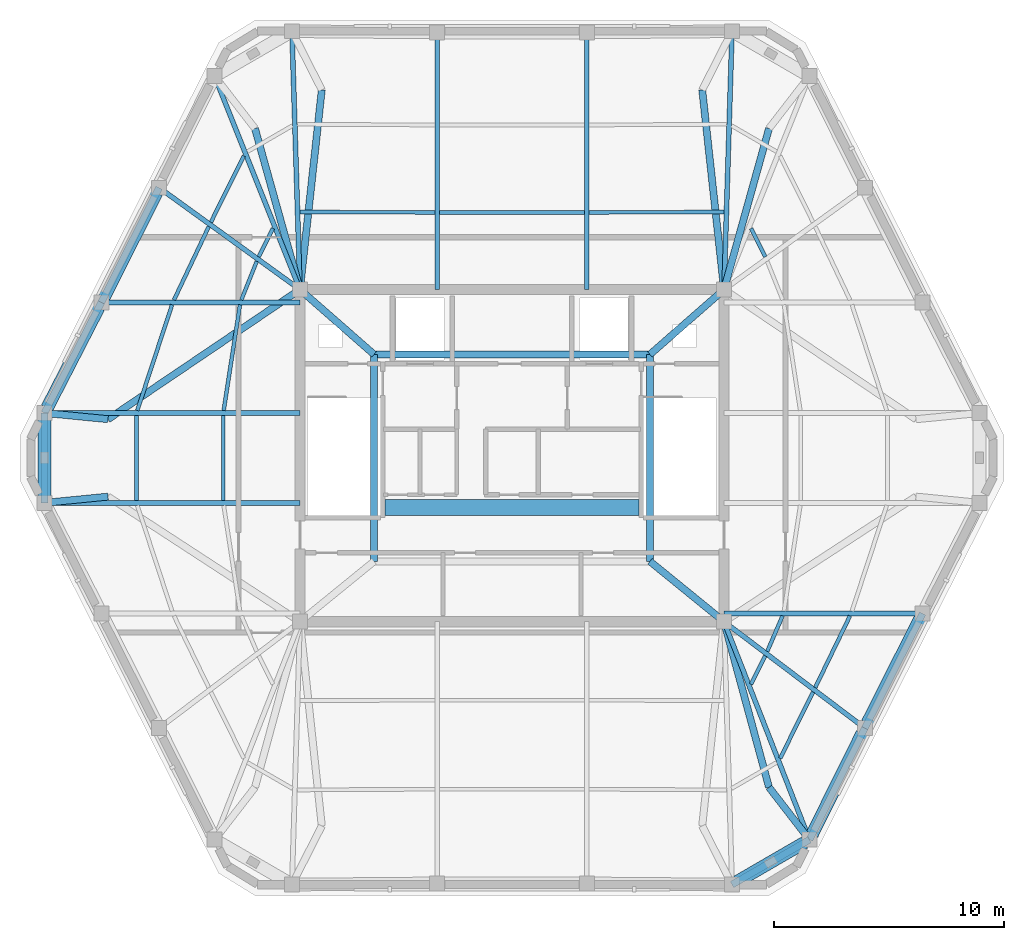
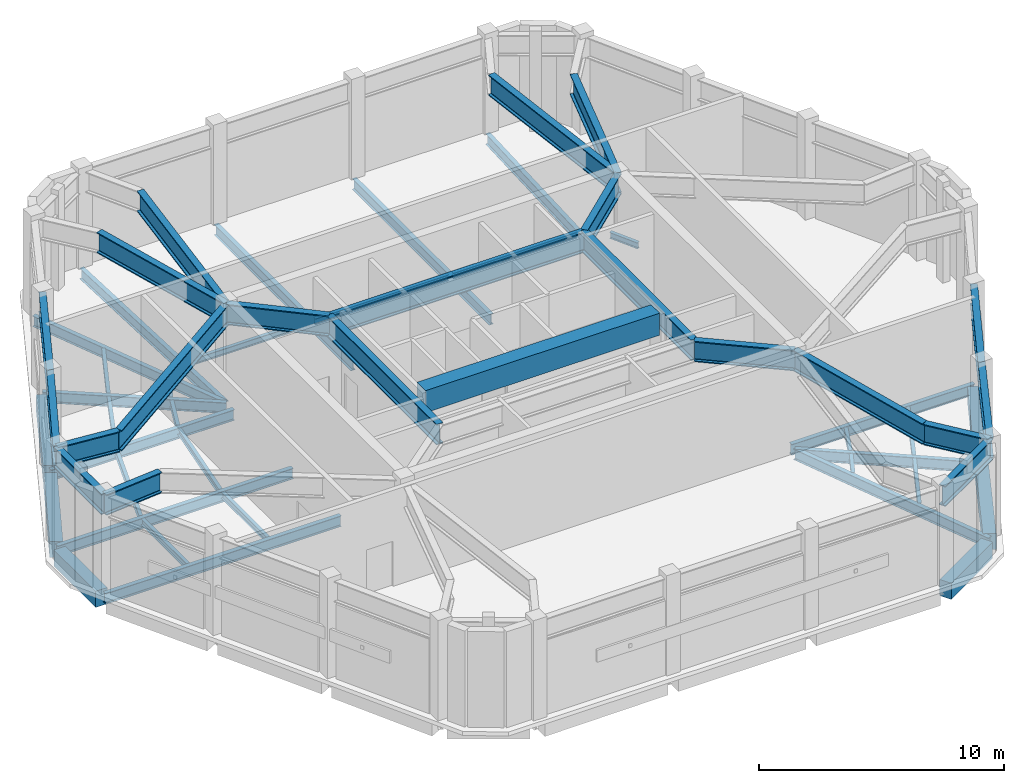
# One storey, part 2 of 6: 56 beams.
"""IFC4 building model written with IfcOpenShell, lengths in metres."""

from ifc_helpers import new_model, si_unit, direction, frame, origin, origin_2d, place, context, subcontext, project, spatial, rectangle, i_section, extrude, material, material_profile, profile_set, type_object, element, save


model = new_model("IFC4")

# Units and contexts
model_context = context("Model", 3, precision=1e-05, world=origin(), true_north=direction((0.0, 1.0)))
body_context = subcontext(model_context, "Body", "Model", "MODEL_VIEW")
ifc_project = project(units=[si_unit("LENGTHUNIT", "METRE"), si_unit("AREAUNIT", "SQUARE_METRE"), si_unit("VOLUMEUNIT", "CUBIC_METRE"), si_unit("PLANEANGLEUNIT", "RADIAN"), si_unit("MASSUNIT", "GRAM", prefix="KILO")], contexts=[model_context])

# Site, building, storey
site_placement = place(None, origin())
site = spatial("IfcSite", under=ifc_project, at=site_placement, CompositionType="ELEMENT")
building_placement = place(site_placement, origin())
building = spatial("IfcBuilding", under=site, at=building_placement, Name="Cinnabar Lancet Tower", CompositionType="ELEMENT")
storey_placement = place(building_placement, frame((0.0, 0.0, 300.5)))
storey = spatial("IfcBuildingStorey", under=building, at=storey_placement, Name="L79", CompositionType="ELEMENT", Elevation=300.5)

# Beams
ifc_material_1 = material(Name="Concrete C70/85", Category="concrete")
ifc_material_profile_1 = material_profile(ifc_material_1, rectangle(XDim=0.699951171875, YDim=1.10009765625, at=origin_2d()), Name="RC-CB 700x1100")
ifc_profile_set_1 = profile_set([ifc_material_profile_1], Name="Concrete C70/85")
beam_type_1 = type_object("IfcBeamType", Name="STR-BM-CB-1100", PredefinedType="BEAM", material=ifc_profile_set_1)
beam_1_placement = place(storey_placement, frame((26.8798828125, 23.64990234375, 4.449951171875), z_axis=(1.0, 0.0, 0.0), x_axis=(0.0, 1.0, 0.0)))
element("IfcBeam", 1, at=beam_1_placement, inside=storey, type_object=beam_type_1, Name="L79 Core Coupling Beam", PredefinedType="BEAM", context=body_context, shape_type="SweptSolid", body=[
    extrude(rectangle(XDim=0.699951171875, YDim=1.10009765625, at=origin_2d()), origin(), (0.0, 0.0, 1.0), 11.0400390625),
])
ifc_material_2 = material(Name="Structural steel S355", Category="steel")
ifc_material_profile_2 = material_profile(ifc_material_2, i_section(OverallWidth=0.1650390625, OverallDepth=0.303466796875, WebThickness=0.006103515625, FlangeThickness=0.01025390625, FilletRadius=0.0087890625, at=origin_2d()), Name="UKB 305x165x40")
ifc_profile_set_2 = profile_set([ifc_material_profile_2], Name="Structural steel S355")
beam_type_2 = type_object("IfcBeamType", Name="STR-BM-JST-305", PredefinedType="JOIST", material=ifc_profile_set_2)
beam_2_placement = place(storey_placement, frame((44.06591796875, 12.73193359375, -0.35205078125), z_axis=(0.444391284604, 0.895832789179, 0.0), x_axis=(-0.895832789179, 0.444391284604, 0.0)))
element("IfcBeam", 2, at=beam_2_placement, inside=storey, type_object=beam_type_2, Name="L79 Secondary Floor Joist 15", PredefinedType="JOIST", context=body_context, shape_type="SweptSolid", body=[
    extrude(i_section(OverallWidth=0.1650390625, OverallDepth=0.303466796875, WebThickness=0.006103515625, FlangeThickness=0.01025390625, FilletRadius=0.0087890625, at=origin_2d()), origin(), (0.0, 0.0, 1.0), 3.220458984375),
])
beam_3_placement = place(storey_placement, frame((42.802978515625, 15.9560546875, -0.35205078125), z_axis=(0.444093192127, 0.89598060063, 0.0), x_axis=(-0.89598060063, 0.444093192127, 0.0)))
element("IfcBeam", 3, at=beam_3_placement, inside=storey, type_object=beam_type_2, Name="L79 Secondary Floor Joist 16", PredefinedType="JOIST", context=body_context, shape_type="SweptSolid", body=[
    extrude(i_section(OverallWidth=0.1650390625, OverallDepth=0.303466796875, WebThickness=0.006103515625, FlangeThickness=0.01025390625, FilletRadius=0.0087890625, at=origin_2d()), origin(), (0.0, 0.0, 1.0), 1.378173828125),
])
beam_4_placement = place(storey_placement, frame((45.591064453125, 15.80810546875, -0.35205078125), z_axis=(0.43610936109, 0.899893674369, 0.0), x_axis=(-0.899893674369, 0.43610936109, 0.0)))
element("IfcBeam", 4, at=beam_4_placement, inside=storey, type_object=beam_type_2, Name="L79 Secondary Floor Joist 17", PredefinedType="JOIST", context=body_context, shape_type="SweptSolid", body=[
    extrude(i_section(OverallWidth=0.1650390625, OverallDepth=0.303466796875, WebThickness=0.006103515625, FlangeThickness=0.01025390625, FilletRadius=0.0087890625, at=origin_2d()), origin(), (0.0, 0.0, 1.0), 3.467041015625),
])
beam_5_placement = place(storey_placement, frame((43.5048828125, 17.385009765625, -0.35205078125), z_axis=(0.396302440144, 0.91812002262, 0.0), x_axis=(-0.91812002262, 0.396302440144, 0.0)))
element("IfcBeam", 5, at=beam_5_placement, inside=storey, type_object=beam_type_2, Name="L79 Secondary Floor Joist 18", PredefinedType="JOIST", context=body_context, shape_type="SweptSolid", body=[
    extrude(i_section(OverallWidth=0.1650390625, OverallDepth=0.303466796875, WebThickness=0.006103515625, FlangeThickness=0.01025390625, FilletRadius=0.0087890625, at=origin_2d()), origin(), (0.0, 0.0, 1.0), 1.6806640625),
])
beam_6_placement = place(storey_placement, frame((43.4150390625, 34.549072265625, -0.35205078125), z_axis=(-0.444661746427, 0.895698571655, 0.0), x_axis=(-0.895698571655, -0.444661746427, 0.0)))
element("IfcBeam", 6, at=beam_6_placement, inside=storey, type_object=beam_type_2, Name="L79 Secondary Floor Joist 28", PredefinedType="JOIST", context=body_context, shape_type="SweptSolid", body=[
    extrude(i_section(OverallWidth=0.1650390625, OverallDepth=0.303466796875, WebThickness=0.006103515625, FlangeThickness=0.01025390625, FilletRadius=0.0087890625, at=origin_2d()), origin(), (0.0, 0.0, 1.0), 1.378662109375),
])
beam_7_placement = place(storey_placement, frame((41.6240234375, 36.49609375, -0.35205078125), z_axis=(-0.999996226008, -0.002747356738, 0.0), x_axis=(0.002747356738, -0.999996226008, 0.0)))
element("IfcBeam", 7, at=beam_7_placement, inside=storey, type_object=beam_type_2, Name="L79 Secondary Floor Joist 31", PredefinedType="JOIST", context=body_context, shape_type="SweptSolid", body=[
    extrude(i_section(OverallWidth=0.1650390625, OverallDepth=0.303466796875, WebThickness=0.006103515625, FlangeThickness=0.01025390625, FilletRadius=0.0087890625, at=origin_2d()), origin(), (0.0, 0.0, 1.0), 5.864990234375),
])
beam_8_placement = place(storey_placement, frame((35.549072265625, 36.47998046875, -0.35205078125), z_axis=(-1.0, 0.0, 0.0), x_axis=(0.0, -1.0, 0.0)))
element("IfcBeam", 8, at=beam_8_placement, inside=storey, type_object=beam_type_2, Name="L79 Secondary Floor Joist 33", PredefinedType="JOIST", context=body_context, shape_type="SweptSolid", body=[
    extrude(i_section(OverallWidth=0.1650390625, OverallDepth=0.303466796875, WebThickness=0.006103515625, FlangeThickness=0.01025390625, FilletRadius=0.0087890625, at=origin_2d()), origin(), (0.0, 0.0, 1.0), 6.298095703125),
])
beam_9_placement = place(storey_placement, frame((29.041015625, 36.47998046875, -0.35205078125), z_axis=(-0.999996226008, 0.002747356738, 0.0), x_axis=(-0.002747356738, -0.999996226008, 0.0)))
element("IfcBeam", 9, at=beam_9_placement, inside=storey, type_object=beam_type_2, Name="L79 Secondary Floor Joist 35", PredefinedType="JOIST", context=body_context, shape_type="SweptSolid", body=[
    extrude(i_section(OverallWidth=0.1650390625, OverallDepth=0.303466796875, WebThickness=0.006103515625, FlangeThickness=0.01025390625, FilletRadius=0.0087890625, at=origin_2d()), origin(), (0.0, 0.0, 1.0), 5.864990234375),
])
beam_10_placement = place(storey_placement, frame((20.73388671875, 38.94091796875, -0.35205078125), z_axis=(-0.444209762814, -0.89592281287, 0.0), x_axis=(0.89592281287, -0.444209762814, 0.0)))
element("IfcBeam", 10, at=beam_10_placement, inside=storey, type_object=beam_type_2, Name="L79 Secondary Floor Joist 37", PredefinedType="JOIST", context=body_context, shape_type="SweptSolid", body=[
    extrude(i_section(OverallWidth=0.1650390625, OverallDepth=0.303466796875, WebThickness=0.006103515625, FlangeThickness=0.01025390625, FilletRadius=0.0087890625, at=origin_2d()), origin(), (0.0, 0.0, 1.0), 3.22119140625),
])
beam_11_placement = place(storey_placement, frame((21.998046875, 35.783935546875, -0.35205078125), z_axis=(-0.444661746427, -0.895698571655, 0.0), x_axis=(0.895698571655, -0.444661746427, 0.0)))
element("IfcBeam", 11, at=beam_11_placement, inside=storey, type_object=beam_type_2, Name="L79 Secondary Floor Joist 38", PredefinedType="JOIST", context=body_context, shape_type="SweptSolid", body=[
    extrude(i_section(OverallWidth=0.1650390625, OverallDepth=0.303466796875, WebThickness=0.006103515625, FlangeThickness=0.01025390625, FilletRadius=0.0087890625, at=origin_2d()), origin(), (0.0, 0.0, 1.0), 1.378662109375),
])
beam_12_placement = place(storey_placement, frame((19.2099609375, 35.863037109375, -0.35205078125), z_axis=(-0.428647868514, -0.903471640296, 0.0), x_axis=(0.903471640296, -0.428647868514, 0.0)))
element("IfcBeam", 12, at=beam_12_placement, inside=storey, type_object=beam_type_2, Name="L79 Secondary Floor Joist 39", PredefinedType="JOIST", context=body_context, shape_type="SweptSolid", body=[
    extrude(i_section(OverallWidth=0.1650390625, OverallDepth=0.303466796875, WebThickness=0.006103515625, FlangeThickness=0.01025390625, FilletRadius=0.0087890625, at=origin_2d()), origin(), (0.0, 0.0, 1.0), 3.53173828125),
])
beam_13_placement = place(storey_placement, frame((21.298095703125, 34.35400390625, -0.35205078125), z_axis=(-0.37155332079, -0.928411616585, 0.0), x_axis=(0.928411616585, -0.37155332079, 0.0)))
element("IfcBeam", 13, at=beam_13_placement, inside=storey, type_object=beam_type_2, Name="L79 Secondary Floor Joist 40", PredefinedType="JOIST", context=body_context, shape_type="SweptSolid", body=[
    extrude(i_section(OverallWidth=0.1650390625, OverallDepth=0.303466796875, WebThickness=0.006103515625, FlangeThickness=0.01025390625, FilletRadius=0.0087890625, at=origin_2d()), origin(), (0.0, 0.0, 1.0), 1.8115234375),
])
beam_14_placement = place(storey_placement, frame((17.612060546875, 32.4619140625, -0.35205078125), z_axis=(-0.312551578319, -0.949900790025, 0.0), x_axis=(0.949900790025, -0.312551578319, 0.0)))
element("IfcBeam", 14, at=beam_14_placement, inside=storey, type_object=beam_type_2, Name="L79 Secondary Floor Joist 41", PredefinedType="JOIST", context=body_context, shape_type="SweptSolid", body=[
    extrude(i_section(OverallWidth=0.1650390625, OverallDepth=0.303466796875, WebThickness=0.006103515625, FlangeThickness=0.01025390625, FilletRadius=0.0087890625, at=origin_2d()), origin(), (0.0, 0.0, 1.0), 4.844482421875),
])
beam_15_placement = place(storey_placement, frame((20.56689453125, 32.4619140625, -0.35205078125), z_axis=(-0.152269949853, -0.988338941038, 0.0), x_axis=(0.988338941038, -0.152269949853, 0.0)))
element("IfcBeam", 15, at=beam_15_placement, inside=storey, type_object=beam_type_2, Name="L79 Secondary Floor Joist 42", PredefinedType="JOIST", context=body_context, shape_type="SweptSolid", body=[
    extrude(i_section(OverallWidth=0.1650390625, OverallDepth=0.303466796875, WebThickness=0.006103515625, FlangeThickness=0.01025390625, FilletRadius=0.0087890625, at=origin_2d()), origin(), (0.0, 0.0, 1.0), 4.656005859375),
])
for number, where, z_axis, x_axis, name in (
    (16, (16.06298828125, 27.64990234375, -0.35205078125), (0.0, -1.0, 0.0), (1.0, 0.0, 0.0), "L79 Secondary Floor Joist 43"),
    (17, (19.841064453125, 27.64990234375, -0.35205078125), (0.0, -1.0, 0.0), (1.0, 0.0, 0.0), "L79 Secondary Floor Joist 44"),
):
    element("IfcBeam", number, at=place(storey_placement, frame(where, z_axis=z_axis, x_axis=x_axis)), inside=storey, type_object=beam_type_2, Name=name, PredefinedType="JOIST", context=body_context, shape_type="SweptSolid", body=[
        extrude(i_section(OverallWidth=0.1650390625, OverallDepth=0.303466796875, WebThickness=0.006103515625, FlangeThickness=0.01025390625, FilletRadius=0.0087890625, at=origin_2d()), origin(), (0.0, 0.0, 1.0), 3.699951171875),
    ])
ifc_material_3 = material(Name="Concrete C50/60", Category="concrete")
ifc_material_profile_3 = material_profile(ifc_material_3, rectangle(XDim=0.550048828125, YDim=0.800048828125, at=origin_2d()), Name="RC-SB 550x800")
ifc_profile_set_3 = profile_set([ifc_material_profile_3], Name="Concrete C50/60")
beam_type_3 = type_object("IfcBeamType", Name="STR-BM-RCSB-800", PredefinedType="SPANDREL", material=ifc_profile_set_3)
beam_16_placement = place(storey_placement, frame((42.18798828125, 7.364013671875, -0.60009765625), z_axis=(0.865230894194, 0.50137361292, 0.0), x_axis=(-0.50137361292, 0.865230894194, 0.0)))
element("IfcBeam", 18, at=beam_16_placement, inside=storey, type_object=beam_type_3, Name="L79 Perimeter Spandrel 4", PredefinedType="SPANDREL", context=body_context, shape_type="SweptSolid", body=[
    extrude(rectangle(XDim=0.550048828125, YDim=0.800048828125, at=origin_2d()), origin(), (0.0, 0.0, 1.0), 3.39453125),
])
beam_17_placement = place(storey_placement, frame((45.451904296875, 9.4150390625, -0.60009765625), z_axis=(0.444372599207, 0.895842058107, 0.0), x_axis=(-0.895842058107, 0.444372599207, 0.0)))
element("IfcBeam", 19, at=beam_17_placement, inside=storey, type_object=beam_type_3, Name="L79 Perimeter Spandrel 5", PredefinedType="SPANDREL", context=body_context, shape_type="SweptSolid", body=[
    extrude(rectangle(XDim=0.550048828125, YDim=0.800048828125, at=origin_2d()), origin(), (0.0, 0.0, 1.0), 4.91943359375),
])
beam_18_placement = place(storey_placement, frame((47.862060546875, 14.26904296875, -0.60009765625), z_axis=(0.450091864122, 0.892982258419, 0.0), x_axis=(-0.892982258419, 0.450091864122, 0.0)))
element("IfcBeam", 20, at=beam_18_placement, inside=storey, type_object=beam_type_3, Name="L79 Perimeter Spandrel 6", PredefinedType="SPANDREL", context=body_context, shape_type="SweptSolid", body=[
    extrude(rectangle(XDim=0.550048828125, YDim=0.800048828125, at=origin_2d()), origin(), (0.0, 0.0, 1.0), 5.085205078125),
])
beam_19_placement = place(storey_placement, frame((16.93798828125, 37.3310546875, -0.60009765625), z_axis=(-0.450130146726, -0.892962961722, 0.0), x_axis=(0.892962961722, -0.450130146726, 0.0)))
element("IfcBeam", 21, at=beam_19_placement, inside=storey, type_object=beam_type_3, Name="L79 Perimeter Spandrel 18", PredefinedType="SPANDREL", context=body_context, shape_type="SweptSolid", body=[
    extrude(rectangle(XDim=0.550048828125, YDim=0.800048828125, at=origin_2d()), origin(), (0.0, 0.0, 1.0), 5.08544921875),
])
beam_20_placement = place(storey_placement, frame((14.422119140625, 32.344970703125, -0.60009765625), z_axis=(-0.457148063427, -0.889390604912, 0.0), x_axis=(0.889390604912, -0.457148063427, 0.0)))
element("IfcBeam", 22, at=beam_20_placement, inside=storey, type_object=beam_type_3, Name="L79 Perimeter Spandrel 19", PredefinedType="SPANDREL", context=body_context, shape_type="SweptSolid", body=[
    extrude(rectangle(XDim=0.550048828125, YDim=0.800048828125, at=origin_2d()), origin(), (0.0, 0.0, 1.0), 4.9111328125),
])
beam_21_placement = place(storey_placement, frame((12.06298828125, 27.5048828125, -0.60009765625), z_axis=(0.0, -1.0, 0.0), x_axis=(1.0, 0.0, 0.0)))
element("IfcBeam", 23, at=beam_21_placement, inside=storey, type_object=beam_type_3, Name="L79 Perimeter Spandrel 20", PredefinedType="SPANDREL", context=body_context, shape_type="SweptSolid", body=[
    extrude(rectangle(XDim=0.550048828125, YDim=0.800048828125, at=origin_2d()), origin(), (0.0, 0.0, 1.0), 3.409912109375),
])
ifc_material_4 = material(Name="Structural steel S460", Category="steel")
ifc_material_profile_4 = material_profile(ifc_material_4, i_section(OverallWidth=0.305419921875, OverallDepth=1.02587890625, WebThickness=0.02685546875, FlangeThickness=0.049072265625, FilletRadius=0.030029296875, at=origin_2d()), Name="UKB 1016x305x437")
ifc_profile_set_4 = profile_set([ifc_material_profile_4], Name="Structural steel S460")
beam_type_4 = type_object("IfcBeamType", Name="STR-BM-UKB1016-437", PredefinedType="BEAM", material=ifc_profile_set_4)
beam_22_placement = place(storey_placement, frame((41.971923828125, 7.239013671875, 4.237060546875), z_axis=(0.865275997941, 0.501295768372, 0.0), x_axis=(-0.501295768372, 0.865275997941, 0.0)))
element("IfcBeam", 24, at=beam_22_placement, inside=storey, type_object=beam_type_4, Name="L80 Setback Outer Ring Girder 4", PredefinedType="BEAM", context=body_context, shape_type="SweptSolid", body=[
    extrude(i_section(OverallWidth=0.305419921875, OverallDepth=1.02587890625, WebThickness=0.02685546875, FlangeThickness=0.049072265625, FilletRadius=0.030029296875, at=origin_2d()), origin(), (0.0, 0.0, 1.0), 3.893798828125),
])
beam_23_placement = place(storey_placement, frame((45.341064453125, 9.19091796875, 4.237060546875), z_axis=(0.444328072488, 0.895864143718, 0.0), x_axis=(-0.895864143718, 0.444328072488, 0.0)))
element("IfcBeam", 25, at=beam_23_placement, inside=storey, type_object=beam_type_4, Name="L80 Setback Outer Ring Girder 5", PredefinedType="BEAM", context=body_context, shape_type="SweptSolid", body=[
    extrude(i_section(OverallWidth=0.305419921875, OverallDepth=1.02587890625, WebThickness=0.02685546875, FlangeThickness=0.049072265625, FilletRadius=0.030029296875, at=origin_2d()), origin(), (0.0, 0.0, 1.0), 5.41943359375),
])
beam_24_placement = place(storey_placement, frame((47.7490234375, 14.0458984375, 4.237060546875), z_axis=(0.450270774209, 0.892892059486, 0.0), x_axis=(-0.892892059486, 0.450270774209, 0.0)))
element("IfcBeam", 26, at=beam_24_placement, inside=storey, type_object=beam_type_4, Name="L80 Setback Outer Ring Girder 6", PredefinedType="BEAM", context=body_context, shape_type="SweptSolid", body=[
    extrude(i_section(OverallWidth=0.305419921875, OverallDepth=1.02587890625, WebThickness=0.02685546875, FlangeThickness=0.049072265625, FilletRadius=0.030029296875, at=origin_2d()), origin(), (0.0, 0.0, 1.0), 5.585205078125),
])
beam_25_placement = place(storey_placement, frame((17.051025390625, 37.553955078125, 4.237060546875), z_axis=(-0.450305622338, -0.892874485295, 0.0), x_axis=(0.892874485295, -0.450305622338, 0.0)))
element("IfcBeam", 27, at=beam_25_placement, inside=storey, type_object=beam_type_4, Name="L80 Setback Outer Ring Girder 18", PredefinedType="BEAM", context=body_context, shape_type="SweptSolid", body=[
    extrude(i_section(OverallWidth=0.305419921875, OverallDepth=1.02587890625, WebThickness=0.02685546875, FlangeThickness=0.049072265625, FilletRadius=0.030029296875, at=origin_2d()), origin(), (0.0, 0.0, 1.0), 5.58544921875),
])
beam_26_placement = place(storey_placement, frame((14.535888671875, 32.56689453125, 4.237060546875), z_axis=(-0.457077791072, -0.889426721495, 0.0), x_axis=(0.889426721495, -0.457077791072, 0.0)))
element("IfcBeam", 28, at=beam_26_placement, inside=storey, type_object=beam_type_4, Name="L80 Setback Outer Ring Girder 19", PredefinedType="BEAM", context=body_context, shape_type="SweptSolid", body=[
    extrude(i_section(OverallWidth=0.305419921875, OverallDepth=1.02587890625, WebThickness=0.02685546875, FlangeThickness=0.049072265625, FilletRadius=0.030029296875, at=origin_2d()), origin(), (0.0, 0.0, 1.0), 5.41015625),
])
beam_27_placement = place(storey_placement, frame((12.06298828125, 27.7548828125, 4.237060546875), z_axis=(0.0, -1.0, 0.0), x_axis=(1.0, 0.0, 0.0)))
element("IfcBeam", 29, at=beam_27_placement, inside=storey, type_object=beam_type_4, Name="L80 Setback Outer Ring Girder 20", PredefinedType="BEAM", context=body_context, shape_type="SweptSolid", body=[
    extrude(i_section(OverallWidth=0.305419921875, OverallDepth=1.02587890625, WebThickness=0.02685546875, FlangeThickness=0.049072265625, FilletRadius=0.030029296875, at=origin_2d()), origin(), (0.0, 0.0, 1.0), 3.909912109375),
])
beam_28_placement = place(storey_placement, frame((45.341064453125, 9.19091796875, 4.237060546875), z_axis=(-0.611377502298, 0.791339086412, 0.0), x_axis=(-0.791339086412, -0.611377502298, 0.0)))
element("IfcBeam", 30, at=beam_28_placement, inside=storey, type_object=beam_type_4, Name="L80 Crown Setback Strut Girder 3", PredefinedType="BEAM", context=body_context, shape_type="SweptSolid", body=[
    extrude(i_section(OverallWidth=0.305419921875, OverallDepth=1.02587890625, WebThickness=0.02685546875, FlangeThickness=0.049072265625, FilletRadius=0.030029296875, at=origin_2d()), origin(), (0.0, 0.0, 1.0), 2.878662109375),
])
beam_29_placement = place(storey_placement, frame((43.5810546875, 11.468994140625, 4.237060546875), z_axis=(-0.261966293261, 0.965077023452, 0.0), x_axis=(-0.965077023452, -0.261966293261, 0.0)))
element("IfcBeam", 31, at=beam_29_placement, inside=storey, type_object=beam_type_4, Name="L80 Crown Setback Radial Girder 3", PredefinedType="BEAM", context=body_context, shape_type="SweptSolid", body=[
    extrude(i_section(OverallWidth=0.305419921875, OverallDepth=1.02587890625, WebThickness=0.02685546875, FlangeThickness=0.049072265625, FilletRadius=0.030029296875, at=origin_2d()), origin(), (0.0, 0.0, 1.0), 7.466796875),
])
beam_30_placement = place(storey_placement, frame((43.5810546875, 40.131103515625, 4.237060546875), z_axis=(-0.268909036118, -0.963165577818, 0.0), x_axis=(0.963165577818, -0.268909036118, 0.0)))
element("IfcBeam", 32, at=beam_30_placement, inside=storey, type_object=beam_type_4, Name="L80 Crown Setback Radial Girder 6", PredefinedType="BEAM", context=body_context, shape_type="SweptSolid", body=[
    extrude(i_section(OverallWidth=0.305419921875, OverallDepth=1.02587890625, WebThickness=0.02685546875, FlangeThickness=0.049072265625, FilletRadius=0.030029296875, at=origin_2d()), origin(), (0.0, 0.0, 1.0), 7.27392578125),
])
for number, where, z_axis, x_axis, name in (
    (33, (40.675048828125, 41.81103515625, 4.237060546875), (0.10871710022, -0.994072729794, 0.0), (0.994072729794, 0.10871710022, 0.0), "L80 Crown Setback Radial Girder 7"),
    (34, (24.125, 41.81103515625, 4.237060546875), (-0.10871710022, -0.994072729794, 0.0), (0.994072729794, -0.10871710022, 0.0), "L80 Crown Setback Radial Girder 8"),
):
    element("IfcBeam", number, at=place(storey_placement, frame(where, z_axis=z_axis, x_axis=x_axis)), inside=storey, type_object=beam_type_4, Name=name, PredefinedType="BEAM", context=body_context, shape_type="SweptSolid", body=[
        extrude(i_section(OverallWidth=0.305419921875, OverallDepth=1.02587890625, WebThickness=0.02685546875, FlangeThickness=0.049072265625, FilletRadius=0.030029296875, at=origin_2d()), origin(), (0.0, 0.0, 1.0), 8.73779296875),
    ])
beam_31_placement = place(storey_placement, frame((21.218994140625, 40.131103515625, 4.237060546875), z_axis=(0.268909036118, -0.963165577818, 0.0), x_axis=(0.963165577818, 0.268909036118, 0.0)))
element("IfcBeam", 35, at=beam_31_placement, inside=storey, type_object=beam_type_4, Name="L80 Crown Setback Radial Girder 9", PredefinedType="BEAM", context=body_context, shape_type="SweptSolid", body=[
    extrude(i_section(OverallWidth=0.305419921875, OverallDepth=1.02587890625, WebThickness=0.02685546875, FlangeThickness=0.049072265625, FilletRadius=0.030029296875, at=origin_2d()), origin(), (0.0, 0.0, 1.0), 7.27392578125),
])
beam_32_placement = place(storey_placement, frame((12.06298828125, 27.7548828125, 4.237060546875), z_axis=(0.995193479183, -0.097928233885, 0.0), x_axis=(0.097928233885, 0.995193479183, 0.0)))
element("IfcBeam", 36, at=beam_32_placement, inside=storey, type_object=beam_type_4, Name="L80 Crown Setback Strut Girder 10", PredefinedType="BEAM", context=body_context, shape_type="SweptSolid", body=[
    extrude(i_section(OverallWidth=0.305419921875, OverallDepth=1.02587890625, WebThickness=0.02685546875, FlangeThickness=0.049072265625, FilletRadius=0.030029296875, at=origin_2d()), origin(), (0.0, 0.0, 1.0), 2.77734375),
])
beam_33_placement = place(storey_placement, frame((14.826904296875, 27.48291015625, 4.237060546875), z_axis=(0.828522129667, 0.559956320308, 0.0), x_axis=(-0.559956320308, 0.828522129667, 0.0)))
element("IfcBeam", 37, at=beam_33_placement, inside=storey, type_object=beam_type_4, Name="L80 Crown Setback Radial Girder 10", PredefinedType="BEAM", context=body_context, shape_type="SweptSolid", body=[
    extrude(i_section(OverallWidth=0.305419921875, OverallDepth=1.02587890625, WebThickness=0.02685546875, FlangeThickness=0.049072265625, FilletRadius=0.030029296875, at=origin_2d()), origin(), (0.0, 0.0, 1.0), 10.075927734375),
])
beam_34_placement = place(storey_placement, frame((12.06298828125, 23.844970703125, 4.237060546875), z_axis=(0.995193479183, 0.097928233885, 0.0), x_axis=(-0.097928233885, 0.995193479183, 0.0)))
element("IfcBeam", 38, at=beam_34_placement, inside=storey, type_object=beam_type_4, Name="L80 Crown Setback Strut Girder 11", PredefinedType="BEAM", context=body_context, shape_type="SweptSolid", body=[
    extrude(i_section(OverallWidth=0.305419921875, OverallDepth=1.02587890625, WebThickness=0.02685546875, FlangeThickness=0.049072265625, FilletRadius=0.030029296875, at=origin_2d()), origin(), (0.0, 0.0, 1.0), 2.77734375),
])
beam_35_placement = place(storey_placement, frame((41.625, 18.675048828125, 4.237060546875), z_axis=(-0.775571362232, 0.631259900584, 0.0), x_axis=(-0.631259900584, -0.775571362232, 0.0)))
element("IfcBeam", 39, at=beam_35_placement, inside=storey, type_object=beam_type_4, Name="L80 Crown Inner Ring Transfer 2", PredefinedType="BEAM", context=body_context, shape_type="SweptSolid", body=[
    extrude(i_section(OverallWidth=0.305419921875, OverallDepth=1.02587890625, WebThickness=0.02685546875, FlangeThickness=0.049072265625, FilletRadius=0.030029296875, at=origin_2d()), origin(), (0.0, 0.0, 1.0), 4.158447265625),
])
beam_36_placement = place(storey_placement, frame((38.39990234375, 21.300048828125, 4.237060546875), z_axis=(0.0, 1.0, 0.0), x_axis=(-1.0, 0.0, 0.0)))
element("IfcBeam", 40, at=beam_36_placement, inside=storey, type_object=beam_type_4, Name="L80 Crown Inner Ring Tie 2", PredefinedType="BEAM", context=body_context, shape_type="SweptSolid", body=[
    extrude(i_section(OverallWidth=0.305419921875, OverallDepth=1.02587890625, WebThickness=0.02685546875, FlangeThickness=0.049072265625, FilletRadius=0.030029296875, at=origin_2d()), origin(), (0.0, 0.0, 1.0), 9.0),
])
beam_37_placement = place(storey_placement, frame((41.625, 33.125, 4.237060546875), z_axis=(-0.752230895269, -0.658899597968, 0.0), x_axis=(0.658899597968, -0.752230895269, 0.0)))
element("IfcBeam", 41, at=beam_37_placement, inside=storey, type_object=beam_type_4, Name="L80 Crown Inner Ring Transfer 3", PredefinedType="BEAM", context=body_context, shape_type="SweptSolid", body=[
    extrude(i_section(OverallWidth=0.305419921875, OverallDepth=1.02587890625, WebThickness=0.02685546875, FlangeThickness=0.049072265625, FilletRadius=0.030029296875, at=origin_2d()), origin(), (0.0, 0.0, 1.0), 4.287353515625),
])
beam_38_placement = place(storey_placement, frame((38.39990234375, 30.300048828125, 4.237060546875), z_axis=(-1.0, 0.0, 0.0), x_axis=(0.0, -1.0, 0.0)))
element("IfcBeam", 42, at=beam_38_placement, inside=storey, type_object=beam_type_4, Name="L80 Crown Inner Ring Tie 3", PredefinedType="BEAM", context=body_context, shape_type="SweptSolid", body=[
    extrude(i_section(OverallWidth=0.305419921875, OverallDepth=1.02587890625, WebThickness=0.02685546875, FlangeThickness=0.049072265625, FilletRadius=0.030029296875, at=origin_2d()), origin(), (0.0, 0.0, 1.0), 12.0),
])
beam_39_placement = place(storey_placement, frame((23.175048828125, 33.125, 4.237060546875), z_axis=(0.752206171497, -0.658927822726, 0.0), x_axis=(0.658927822726, 0.752206171497, 0.0)))
element("IfcBeam", 43, at=beam_39_placement, inside=storey, type_object=beam_type_4, Name="L80 Crown Inner Ring Transfer 4", PredefinedType="BEAM", context=body_context, shape_type="SweptSolid", body=[
    extrude(i_section(OverallWidth=0.305419921875, OverallDepth=1.02587890625, WebThickness=0.02685546875, FlangeThickness=0.049072265625, FilletRadius=0.030029296875, at=origin_2d()), origin(), (0.0, 0.0, 1.0), 4.287109375),
])
beam_40_placement = place(storey_placement, frame((26.39990234375, 30.300048828125, 4.237060546875), z_axis=(0.0, -1.0, 0.0), x_axis=(1.0, 0.0, 0.0)))
element("IfcBeam", 44, at=beam_40_placement, inside=storey, type_object=beam_type_4, Name="L80 Crown Inner Ring Tie 4", PredefinedType="BEAM", context=body_context, shape_type="SweptSolid", body=[
    extrude(i_section(OverallWidth=0.305419921875, OverallDepth=1.02587890625, WebThickness=0.02685546875, FlangeThickness=0.049072265625, FilletRadius=0.030029296875, at=origin_2d()), origin(), (0.0, 0.0, 1.0), 9.0),
])
ifc_material_5 = material(Name="Structural steel S355", Category="steel")
ifc_material_profile_5 = material_profile(ifc_material_5, i_section(OverallWidth=0.209228515625, OverallDepth=0.533203125, WebThickness=0.010009765625, FlangeThickness=0.015625, FilletRadius=0.0126953125, at=origin_2d()), Name="UKB 533x210x92")
ifc_profile_set_5 = profile_set([ifc_material_profile_5], Name="Structural steel S355")
beam_type_5 = type_object("IfcBeamType", Name="STR-BM-UKB533-92", PredefinedType="BEAM", material=ifc_profile_set_5)
beam_41_placement = place(storey_placement, frame((47.7490234375, 14.0458984375, -0.467041015625), z_axis=(-0.797735075719, 0.603008083667, 0.0), x_axis=(-0.603008083667, -0.797735075719, 0.0)))
element("IfcBeam", 45, at=beam_41_placement, inside=storey, type_object=beam_type_5, Name="L79 Corner Collector Girder 2", PredefinedType="BEAM", context=body_context, shape_type="SweptSolid", body=[
    extrude(i_section(OverallWidth=0.209228515625, OverallDepth=0.533203125, WebThickness=0.010009765625, FlangeThickness=0.015625, FilletRadius=0.0126953125, at=origin_2d()), origin(), (0.0, 0.0, 1.0), 7.6767578125),
])
beam_42_placement = place(storey_placement, frame((17.051025390625, 37.553955078125, -0.467041015625), z_axis=(0.810299148474, -0.586016458797, 0.0), x_axis=(0.586016458797, 0.810299148474, 0.0)))
element("IfcBeam", 46, at=beam_42_placement, inside=storey, type_object=beam_type_5, Name="L79 Corner Collector Girder 4", PredefinedType="BEAM", context=body_context, shape_type="SweptSolid", body=[
    extrude(i_section(OverallWidth=0.209228515625, OverallDepth=0.533203125, WebThickness=0.010009765625, FlangeThickness=0.015625, FilletRadius=0.0126953125, at=origin_2d()), origin(), (0.0, 0.0, 1.0), 7.5576171875),
])
beam_43_placement = place(storey_placement, frame((45.341064453125, 9.19091796875, -0.467041015625), z_axis=(-0.364815017375, 0.931080019707, 0.0), x_axis=(-0.931080019707, -0.364815017375, 0.0)))
element("IfcBeam", 47, at=beam_43_placement, inside=storey, type_object=beam_type_5, Name="L79 Primary Floor Girder 5", PredefinedType="BEAM", context=body_context, shape_type="SweptSolid", body=[
    extrude(i_section(OverallWidth=0.209228515625, OverallDepth=0.533203125, WebThickness=0.010009765625, FlangeThickness=0.015625, FilletRadius=0.0126953125, at=origin_2d()), origin(), (0.0, 0.0, 1.0), 10.186279296875),
])
beam_44_placement = place(storey_placement, frame((50.263916015625, 19.032958984375, -0.467041015625), z_axis=(-1.0, 0.0, 0.0), x_axis=(0.0, -1.0, 0.0)))
element("IfcBeam", 48, at=beam_44_placement, inside=storey, type_object=beam_type_5, Name="L79 Primary Floor Girder 7", PredefinedType="BEAM", context=body_context, shape_type="SweptSolid", body=[
    extrude(i_section(OverallWidth=0.209228515625, OverallDepth=0.533203125, WebThickness=0.010009765625, FlangeThickness=0.015625, FilletRadius=0.0126953125, at=origin_2d()), origin(), (0.0, 0.0, 1.0), 8.638916015625),
])
beam_45_placement = place(storey_placement, frame((41.971923828125, 44.361083984375, -0.467041015625), z_axis=(-0.030861159652, -0.999523680973, 0.0), x_axis=(0.999523680973, -0.030861159652, 0.0)))
element("IfcBeam", 49, at=beam_45_placement, inside=storey, type_object=beam_type_5, Name="L79 Primary Floor Girder 13", PredefinedType="BEAM", context=body_context, shape_type="SweptSolid", body=[
    extrude(i_section(OverallWidth=0.209228515625, OverallDepth=0.533203125, WebThickness=0.010009765625, FlangeThickness=0.015625, FilletRadius=0.0126953125, at=origin_2d()), origin(), (0.0, 0.0, 1.0), 11.241455078125),
])
for number, where, z_axis, x_axis, name in (
    (50, (35.654052734375, 44.30810546875, -0.467041015625), (0.0, -1.0, 0.0), (1.0, 0.0, 0.0), "L79 Primary Floor Girder 14"),
    (51, (29.14599609375, 44.30810546875, -0.467041015625), (0.0, -1.0, 0.0), (1.0, 0.0, 0.0), "L79 Primary Floor Girder 15"),
):
    element("IfcBeam", number, at=place(storey_placement, frame(where, z_axis=z_axis, x_axis=x_axis)), inside=storey, type_object=beam_type_5, Name=name, PredefinedType="BEAM", context=body_context, shape_type="SweptSolid", body=[
        extrude(i_section(OverallWidth=0.209228515625, OverallDepth=0.533203125, WebThickness=0.010009765625, FlangeThickness=0.015625, FilletRadius=0.0126953125, at=origin_2d()), origin(), (0.0, 0.0, 1.0), 11.18310546875),
    ])
beam_46_placement = place(storey_placement, frame((22.827880859375, 44.361083984375, -0.467041015625), z_axis=(0.030882856862, -0.999523010817, 0.0), x_axis=(0.999523010817, 0.030882856862, 0.0)))
element("IfcBeam", 52, at=beam_46_placement, inside=storey, type_object=beam_type_5, Name="L79 Primary Floor Girder 16", PredefinedType="BEAM", context=body_context, shape_type="SweptSolid", body=[
    extrude(i_section(OverallWidth=0.209228515625, OverallDepth=0.533203125, WebThickness=0.010009765625, FlangeThickness=0.015625, FilletRadius=0.0126953125, at=origin_2d()), origin(), (0.0, 0.0, 1.0), 11.241455078125),
])
beam_47_placement = place(storey_placement, frame((19.458984375, 42.408935546875, -0.467041015625), z_axis=(0.371605341166, -0.928390796172, 0.0), x_axis=(0.928390796172, 0.371605341166, 0.0)))
element("IfcBeam", 53, at=beam_47_placement, inside=storey, type_object=beam_type_5, Name="L79 Primary Floor Girder 17", PredefinedType="BEAM", context=body_context, shape_type="SweptSolid", body=[
    extrude(i_section(OverallWidth=0.209228515625, OverallDepth=0.533203125, WebThickness=0.010009765625, FlangeThickness=0.015625, FilletRadius=0.0126953125, at=origin_2d()), origin(), (0.0, 0.0, 1.0), 10.0),
])
beam_48_placement = place(storey_placement, frame((14.535888671875, 32.56689453125, -0.467041015625), z_axis=(1.0, 0.0, 0.0), x_axis=(0.0, 1.0, 0.0)))
element("IfcBeam", 54, at=beam_48_placement, inside=storey, type_object=beam_type_5, Name="L79 Primary Floor Girder 19", PredefinedType="BEAM", context=body_context, shape_type="SweptSolid", body=[
    extrude(i_section(OverallWidth=0.209228515625, OverallDepth=0.533203125, WebThickness=0.010009765625, FlangeThickness=0.015625, FilletRadius=0.0126953125, at=origin_2d()), origin(), (0.0, 0.0, 1.0), 8.63916015625),
])
for number, where, z_axis, x_axis, name in (
    (55, (12.06298828125, 27.7548828125, -0.467041015625), (1.0, 0.0, 0.0), (0.0, 1.0, 0.0), "L79 Primary Floor Girder 20"),
    (56, (12.06298828125, 23.844970703125, -0.467041015625), (1.0, 0.0, 0.0), (0.0, 1.0, 0.0), "L79 Primary Floor Girder 21"),
):
    element("IfcBeam", number, at=place(storey_placement, frame(where, z_axis=z_axis, x_axis=x_axis)), inside=storey, type_object=beam_type_5, Name=name, PredefinedType="BEAM", context=body_context, shape_type="SweptSolid", body=[
        extrude(i_section(OverallWidth=0.209228515625, OverallDepth=0.533203125, WebThickness=0.010009765625, FlangeThickness=0.015625, FilletRadius=0.0126953125, at=origin_2d()), origin(), (0.0, 0.0, 1.0), 11.112060546875),
    ])

save(model, "model.ifc")
